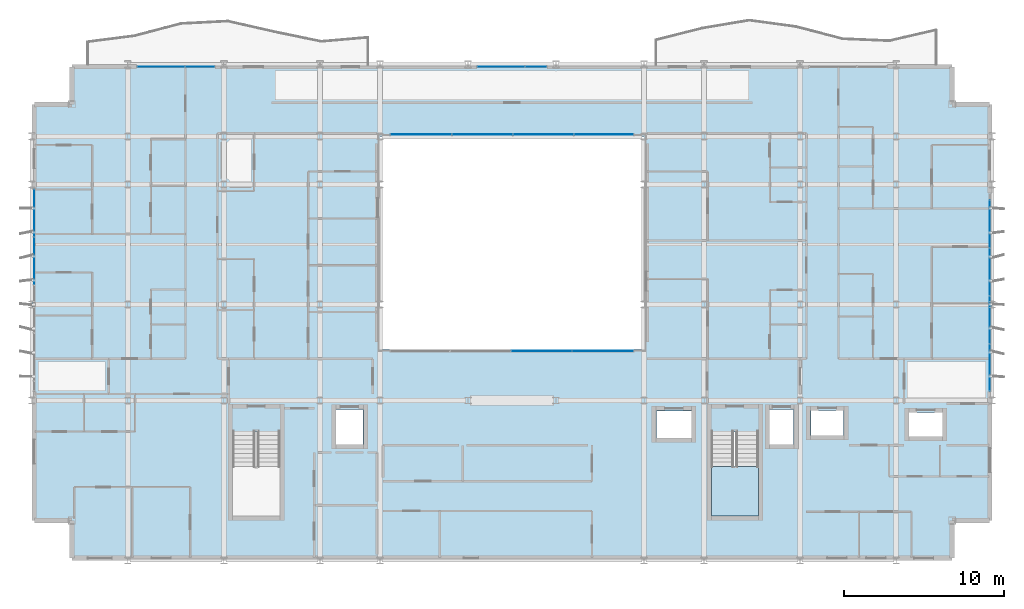
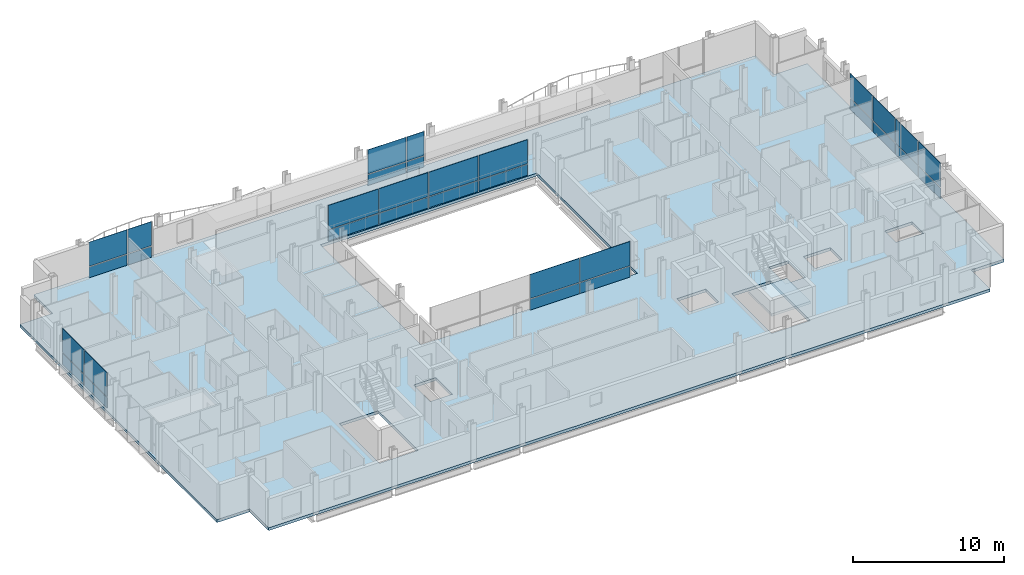
# One storey, part 23 of 38: 32 plates, 2 slabs, 7 elements without a shape of their own.
"""IFC4 building model written with IfcOpenShell, lengths in metres."""

from ifc_helpers import new_model, si_unit, direction, frame, origin, origin_2d, place, context, subcontext, project, spatial, polyline, rectangle, outline, extrude, material, layer, layer_set, type_object, element, aggregate, save


model = new_model("IFC4")

# Units and contexts
model_context = context("Model", 3, precision=1e-05, world=origin(), true_north=direction((0.0, 1.0)))
body_context = subcontext(model_context, "Body", "Model", "MODEL_VIEW")
ifc_project = project(units=[si_unit("LENGTHUNIT", "METRE"), si_unit("AREAUNIT", "SQUARE_METRE"), si_unit("VOLUMEUNIT", "CUBIC_METRE"), si_unit("PLANEANGLEUNIT", "RADIAN"), si_unit("MASSUNIT", "GRAM", prefix="KILO")], contexts=[model_context])

# Site, building, storey
site_placement = place(None, origin())
site = spatial("IfcSite", under=ifc_project, at=site_placement, CompositionType="ELEMENT")
building_placement = place(site_placement, origin())
building = spatial("IfcBuilding", under=site, at=building_placement, Name="Brevholm Reach", CompositionType="ELEMENT")
storey_placement = place(building_placement, frame((0.0, 0.0, 65.199951171875)))
storey = spatial("IfcBuildingStorey", under=building, at=storey_placement, Name="L18", CompositionType="ELEMENT", Elevation=65.199951171875)

# Curtain wall, plates
ifc_material_1 = material(Name="Dark Anodised Aluminium 6063-T6 and Solar-Control Glass", Category="aluminium")
ifc_layer_1 = layer(ifc_material_1, 0.14990234375)
ifc_layer_set_1 = layer_set([ifc_layer_1], Name="Dark Anodised Aluminium 6063-T6 and Solar-Control Glass")
curtain_wall_type_1 = type_object("IfcCurtainWallType", Name="CW-01", PredefinedType="NOTDEFINED", material=ifc_layer_set_1)
curtain_wall_1_placement = place(storey_placement, origin())
curtain_wall_1 = element("IfcCurtainWall", 1, at=curtain_wall_1_placement, inside=storey, type_object=curtain_wall_type_1, Name="L18 Curtain Wall CW-01", PredefinedType="NOTDEFINED")
ifc_material_2 = material(Name="Dark Solar-Control Double-Glazed IGU Glass", Category="glass")
ifc_layer_2 = layer(ifc_material_2, 0.028076171875)
ifc_layer_set_2 = layer_set([ifc_layer_2], Name="Dark Solar-Control Double-Glazed IGU Glass")
plate_type_1 = type_object("IfcPlateType", Name="CWP-GLZ-28", PredefinedType="CURTAIN_PANEL", material=ifc_layer_set_2)
plate_1_placement = place(storey_placement, frame((0.14990234375, 21.703857421875, 0.0), z_axis=(0.0, 0.0, 1.0), x_axis=(0.0, -1.0, 0.0)))
plate_1 = element("IfcPlate", 2, at=plate_1_placement, type_object=plate_type_1, Name="CP-01 Glazing Panel 1.1", PredefinedType="CURTAIN_PANEL", context=body_context, shape_type="SweptSolid", body=[
    extrude(rectangle(XDim=2.902587890625, YDim=0.028076171875, at=origin_2d()), origin(), (0.0, 0.0, 1.0), 0.867431640625),
])
plate_2_placement = place(storey_placement, frame((0.14990234375, 21.703857421875, 0.9326171875), z_axis=(0.0, 0.0, 1.0), x_axis=(0.0, -1.0, 0.0)))
plate_2 = element("IfcPlate", 3, at=plate_2_placement, type_object=plate_type_1, Name="CP-01 Glazing Panel 1.2", PredefinedType="CURTAIN_PANEL", context=body_context, shape_type="SweptSolid", body=[
    extrude(rectangle(XDim=2.902587890625, YDim=0.028076171875, at=origin_2d()), origin(), (0.0, 0.0, 1.0), 1.9375),
])
plate_3_placement = place(storey_placement, frame((0.14990234375, 18.719970703125, 0.0), z_axis=(0.0, 0.0, 1.0), x_axis=(0.0, -1.0, 0.0)))
plate_3 = element("IfcPlate", 4, at=plate_3_placement, type_object=plate_type_1, Name="CP-01 Glazing Panel 2.1", PredefinedType="CURTAIN_PANEL", context=body_context, shape_type="SweptSolid", body=[
    extrude(rectangle(XDim=2.93505859375, YDim=0.028076171875, at=origin_2d()), origin(), (0.0, 0.0, 1.0), 0.867431640625),
])
plate_4_placement = place(storey_placement, frame((0.14990234375, 18.719970703125, 0.9326171875), z_axis=(0.0, 0.0, 1.0), x_axis=(0.0, -1.0, 0.0)))
plate_4 = element("IfcPlate", 5, at=plate_4_placement, type_object=plate_type_1, Name="CP-01 Glazing Panel 2.2", PredefinedType="CURTAIN_PANEL", context=body_context, shape_type="SweptSolid", body=[
    extrude(rectangle(XDim=2.93505859375, YDim=0.028076171875, at=origin_2d()), origin(), (0.0, 0.0, 1.0), 1.9375),
])
aggregate(curtain_wall_1, [plate_1, plate_2, plate_3, plate_4])

curtain_wall_2_placement = place(storey_placement, origin())
curtain_wall_2 = element("IfcCurtainWall", 6, at=curtain_wall_2_placement, inside=storey, type_object=curtain_wall_type_1, Name="L18 Curtain Wall CW-01", PredefinedType="NOTDEFINED")
plate_5_placement = place(storey_placement, frame((59.85009765625, 12.066162109375, 0.0), z_axis=(0.0, 0.0, 1.0), x_axis=(0.0, 1.0, 0.0)))
plate_5 = element("IfcPlate", 7, at=plate_5_placement, type_object=plate_type_1, Name="CP-01 Glazing Panel 1.1", PredefinedType="CURTAIN_PANEL", context=body_context, shape_type="SweptSolid", body=[
    extrude(rectangle(XDim=2.902587890625, YDim=0.028076171875, at=origin_2d()), origin(), (0.0, 0.0, 1.0), 0.867431640625),
])
plate_6_placement = place(storey_placement, frame((59.85009765625, 12.066162109375, 0.9326171875), z_axis=(0.0, 0.0, 1.0), x_axis=(0.0, 1.0, 0.0)))
plate_6 = element("IfcPlate", 8, at=plate_6_placement, type_object=plate_type_1, Name="CP-01 Glazing Panel 1.2", PredefinedType="CURTAIN_PANEL", context=body_context, shape_type="SweptSolid", body=[
    extrude(rectangle(XDim=2.902587890625, YDim=0.028076171875, at=origin_2d()), origin(), (0.0, 0.0, 1.0), 1.9375),
])
plate_7_placement = place(storey_placement, frame((59.85009765625, 15.050048828125, 0.0), z_axis=(0.0, 0.0, 1.0), x_axis=(0.0, 1.0, 0.0)))
plate_7 = element("IfcPlate", 9, at=plate_7_placement, type_object=plate_type_1, Name="CP-01 Glazing Panel 2.1", PredefinedType="CURTAIN_PANEL", context=body_context, shape_type="SweptSolid", body=[
    extrude(rectangle(XDim=2.93505859375, YDim=0.028076171875, at=origin_2d()), origin(), (0.0, 0.0, 1.0), 0.867431640625),
])
plate_8_placement = place(storey_placement, frame((59.85009765625, 15.050048828125, 0.9326171875), z_axis=(0.0, 0.0, 1.0), x_axis=(0.0, 1.0, 0.0)))
plate_8 = element("IfcPlate", 10, at=plate_8_placement, type_object=plate_type_1, Name="CP-01 Glazing Panel 2.2", PredefinedType="CURTAIN_PANEL", context=body_context, shape_type="SweptSolid", body=[
    extrude(rectangle(XDim=2.93505859375, YDim=0.028076171875, at=origin_2d()), origin(), (0.0, 0.0, 1.0), 1.9375),
])
plate_9_placement = place(storey_placement, frame((59.85009765625, 18.050048828125, 0.0), z_axis=(0.0, 0.0, 1.0), x_axis=(0.0, 1.0, 0.0)))
plate_9 = element("IfcPlate", 11, at=plate_9_placement, type_object=plate_type_1, Name="CP-01 Glazing Panel 3.1", PredefinedType="CURTAIN_PANEL", context=body_context, shape_type="SweptSolid", body=[
    extrude(rectangle(XDim=2.93505859375, YDim=0.028076171875, at=origin_2d()), origin(), (0.0, 0.0, 1.0), 0.867431640625),
])
plate_10_placement = place(storey_placement, frame((59.85009765625, 18.050048828125, 0.9326171875), z_axis=(0.0, 0.0, 1.0), x_axis=(0.0, 1.0, 0.0)))
plate_10 = element("IfcPlate", 12, at=plate_10_placement, type_object=plate_type_1, Name="CP-01 Glazing Panel 3.2", PredefinedType="CURTAIN_PANEL", context=body_context, shape_type="SweptSolid", body=[
    extrude(rectangle(XDim=2.93505859375, YDim=0.028076171875, at=origin_2d()), origin(), (0.0, 0.0, 1.0), 1.9375),
])
plate_11_placement = place(storey_placement, frame((59.85009765625, 21.050048828125, 0.0), z_axis=(0.0, 0.0, 1.0), x_axis=(0.0, 1.0, 0.0)))
plate_11 = element("IfcPlate", 13, at=plate_11_placement, type_object=plate_type_1, Name="CP-01 Glazing Panel 4.1", PredefinedType="CURTAIN_PANEL", context=body_context, shape_type="SweptSolid", body=[
    extrude(rectangle(XDim=2.93505859375, YDim=0.028076171875, at=origin_2d()), origin(), (0.0, 0.0, 1.0), 0.867431640625),
])
plate_12_placement = place(storey_placement, frame((59.85009765625, 21.050048828125, 0.9326171875), z_axis=(0.0, 0.0, 1.0), x_axis=(0.0, 1.0, 0.0)))
plate_12 = element("IfcPlate", 14, at=plate_12_placement, type_object=plate_type_1, Name="CP-01 Glazing Panel 4.2", PredefinedType="CURTAIN_PANEL", context=body_context, shape_type="SweptSolid", body=[
    extrude(rectangle(XDim=2.93505859375, YDim=0.028076171875, at=origin_2d()), origin(), (0.0, 0.0, 1.0), 1.9375),
])
aggregate(curtain_wall_2, [plate_5, plate_6, plate_7, plate_8, plate_9, plate_10, plate_11, plate_12])

curtain_wall_3_placement = place(storey_placement, origin())
curtain_wall_3 = element("IfcCurtainWall", 15, at=curtain_wall_3_placement, inside=storey, type_object=curtain_wall_type_1, Name="L18 Curtain Wall CW-01", PredefinedType="NOTDEFINED")
plate_13_placement = place(storey_placement, frame((8.066162109375, 30.85009765625, 0.0), z_axis=(0.0, 0.0, 1.0), x_axis=(1.0, 0.0, 0.0)))
plate_13 = element("IfcPlate", 16, at=plate_13_placement, type_object=plate_type_1, Name="CP-01 Glazing Panel 1.1", PredefinedType="CURTAIN_PANEL", context=body_context, shape_type="SweptSolid", body=[
    extrude(rectangle(XDim=2.902587890625, YDim=0.028076171875, at=origin_2d()), origin(), (0.0, 0.0, 1.0), 0.867431640625),
])
plate_14_placement = place(storey_placement, frame((8.066162109375, 30.85009765625, 0.9326171875), z_axis=(0.0, 0.0, 1.0), x_axis=(1.0, 0.0, 0.0)))
plate_14 = element("IfcPlate", 17, at=plate_14_placement, type_object=plate_type_1, Name="CP-01 Glazing Panel 1.2", PredefinedType="CURTAIN_PANEL", context=body_context, shape_type="SweptSolid", body=[
    extrude(rectangle(XDim=2.902587890625, YDim=0.028076171875, at=origin_2d()), origin(), (0.0, 0.0, 1.0), 1.9375),
])
plate_15_placement = place(storey_placement, frame((10.483642578125, 30.85009765625, 0.0), z_axis=(0.0, 0.0, 1.0), x_axis=(1.0, 0.0, 0.0)))
plate_15 = element("IfcPlate", 18, at=plate_15_placement, type_object=plate_type_1, Name="CP-01 Glazing Panel 2.1", PredefinedType="CURTAIN_PANEL", context=body_context, shape_type="SweptSolid", body=[
    extrude(rectangle(XDim=1.802490234375, YDim=0.028076171875, at=origin_2d()), origin(), (0.0, 0.0, 1.0), 0.867431640625),
])
plate_16_placement = place(storey_placement, frame((10.483642578125, 30.85009765625, 0.9326171875), z_axis=(0.0, 0.0, 1.0), x_axis=(1.0, 0.0, 0.0)))
plate_16 = element("IfcPlate", 19, at=plate_16_placement, type_object=plate_type_1, Name="CP-01 Glazing Panel 2.2", PredefinedType="CURTAIN_PANEL", context=body_context, shape_type="SweptSolid", body=[
    extrude(rectangle(XDim=1.802490234375, YDim=0.028076171875, at=origin_2d()), origin(), (0.0, 0.0, 1.0), 1.9375),
])
aggregate(curtain_wall_3, [plate_13, plate_14, plate_15, plate_16])

curtain_wall_4_placement = place(storey_placement, origin())
curtain_wall_4 = element("IfcCurtainWall", 20, at=curtain_wall_4_placement, inside=storey, type_object=curtain_wall_type_1, Name="L18 Curtain Wall CW-01", PredefinedType="NOTDEFINED")
plate_17_placement = place(storey_placement, frame((29.316162109375, 30.85009765625, 0.0), z_axis=(0.0, 0.0, 1.0), x_axis=(1.0, 0.0, 0.0)))
plate_17 = element("IfcPlate", 21, at=plate_17_placement, type_object=plate_type_1, Name="CP-01 Glazing Panel 1.1", PredefinedType="CURTAIN_PANEL", context=body_context, shape_type="SweptSolid", body=[
    extrude(rectangle(XDim=2.902587890625, YDim=0.028076171875, at=origin_2d()), origin(), (0.0, 0.0, 1.0), 0.867431640625),
])
plate_18_placement = place(storey_placement, frame((29.316162109375, 30.85009765625, 0.9326171875), z_axis=(0.0, 0.0, 1.0), x_axis=(1.0, 0.0, 0.0)))
plate_18 = element("IfcPlate", 22, at=plate_18_placement, type_object=plate_type_1, Name="CP-01 Glazing Panel 1.2", PredefinedType="CURTAIN_PANEL", context=body_context, shape_type="SweptSolid", body=[
    extrude(rectangle(XDim=2.902587890625, YDim=0.028076171875, at=origin_2d()), origin(), (0.0, 0.0, 1.0), 1.9375),
])
plate_19_placement = place(storey_placement, frame((31.483642578125, 30.85009765625, 0.0), z_axis=(0.0, 0.0, 1.0), x_axis=(1.0, 0.0, 0.0)))
plate_19 = element("IfcPlate", 23, at=plate_19_placement, type_object=plate_type_1, Name="CP-01 Glazing Panel 2.1", PredefinedType="CURTAIN_PANEL", context=body_context, shape_type="SweptSolid", body=[
    extrude(rectangle(XDim=1.302490234375, YDim=0.028076171875, at=origin_2d()), origin(), (0.0, 0.0, 1.0), 0.867431640625),
])
plate_20_placement = place(storey_placement, frame((31.483642578125, 30.85009765625, 0.9326171875), z_axis=(0.0, 0.0, 1.0), x_axis=(1.0, 0.0, 0.0)))
plate_20 = element("IfcPlate", 24, at=plate_20_placement, type_object=plate_type_1, Name="CP-01 Glazing Panel 2.2", PredefinedType="CURTAIN_PANEL", context=body_context, shape_type="SweptSolid", body=[
    extrude(rectangle(XDim=1.302490234375, YDim=0.028076171875, at=origin_2d()), origin(), (0.0, 0.0, 1.0), 1.9375),
])
aggregate(curtain_wall_4, [plate_17, plate_18, plate_19, plate_20])

ifc_material_3 = material(Name="Dark Anodised Aluminium 6063-T6 and Solar-Control Glass", Category="aluminium")
ifc_layer_3 = layer(ifc_material_3, 0.139892578125)
ifc_layer_set_3 = layer_set([ifc_layer_3], Name="Dark Anodised Aluminium 6063-T6 and Solar-Control Glass")
curtain_wall_type_2 = type_object("IfcCurtainWallType", Name="CW-02", PredefinedType="NOTDEFINED", material=ifc_layer_set_3)
curtain_wall_5_placement = place(storey_placement, origin())
curtain_wall_5 = element("IfcCurtainWall", 25, at=curtain_wall_5_placement, inside=storey, type_object=curtain_wall_type_2, Name="L18 Curtain Wall CW-02", PredefinedType="NOTDEFINED")
ifc_material_4 = material(Name="Low-Iron Laminated Acoustic Glass", Category="glass")
ifc_layer_4 = layer(ifc_material_4, 0.035888671875)
ifc_layer_set_4 = layer_set([ifc_layer_4], Name="Low-Iron Laminated Acoustic Glass")
plate_type_2 = type_object("IfcPlateType", Name="CWP-GLZ-36", PredefinedType="CURTAIN_PANEL", material=ifc_layer_set_4)
plate_21_placement = place(storey_placement, frame((31.85009765625, 13.080078125, 0.0), z_axis=(0.0, 0.0, 1.0), x_axis=(1.0, 0.0, 0.0)))
plate_21 = element("IfcPlate", 26, at=plate_21_placement, type_object=plate_type_2, Name="CP-02 Glazing Panel 3.1", PredefinedType="CURTAIN_PANEL", context=body_context, shape_type="SweptSolid", body=[
    extrude(rectangle(XDim=3.739990234375, YDim=0.035888671875, at=origin_2d()), origin(), (0.0, 0.0, 1.0), 0.8701171875),
])
plate_22_placement = place(storey_placement, frame((31.85009765625, 13.080078125, 0.93017578125), z_axis=(0.0, 0.0, 1.0), x_axis=(1.0, 0.0, 0.0)))
plate_22 = element("IfcPlate", 27, at=plate_22_placement, type_object=plate_type_2, Name="CP-02 Glazing Panel 3.2", PredefinedType="CURTAIN_PANEL", context=body_context, shape_type="SweptSolid", body=[
    extrude(rectangle(XDim=3.739990234375, YDim=0.035888671875, at=origin_2d()), origin(), (0.0, 0.0, 1.0), 1.93994140625),
])
plate_23_placement = place(storey_placement, frame((35.68505859375, 13.080078125, 0.0), z_axis=(0.0, 0.0, 1.0), x_axis=(1.0, 0.0, 0.0)))
plate_23 = element("IfcPlate", 28, at=plate_23_placement, type_object=plate_type_2, Name="CP-02 Glazing Panel 4.1", PredefinedType="CURTAIN_PANEL", context=body_context, shape_type="SweptSolid", body=[
    extrude(rectangle(XDim=3.81005859375, YDim=0.035888671875, at=origin_2d()), origin(), (0.0, 0.0, 1.0), 0.8701171875),
])
plate_24_placement = place(storey_placement, frame((35.68505859375, 13.080078125, 0.93017578125), z_axis=(0.0, 0.0, 1.0), x_axis=(1.0, 0.0, 0.0)))
plate_24 = element("IfcPlate", 29, at=plate_24_placement, type_object=plate_type_2, Name="CP-02 Glazing Panel 4.2", PredefinedType="CURTAIN_PANEL", context=body_context, shape_type="SweptSolid", body=[
    extrude(rectangle(XDim=3.81005859375, YDim=0.035888671875, at=origin_2d()), origin(), (0.0, 0.0, 1.0), 1.93994140625),
])
aggregate(curtain_wall_5, [plate_21, plate_22, plate_23, plate_24])

curtain_wall_6_placement = place(storey_placement, origin())
curtain_wall_6 = element("IfcCurtainWall", 30, at=curtain_wall_6_placement, inside=storey, type_object=curtain_wall_type_2, Name="L18 Curtain Wall CW-02", PredefinedType="NOTDEFINED")
plate_25_placement = place(storey_placement, frame((35.735107421875, 26.6201171875, 0.0), z_axis=(0.0, 0.0, 1.0), x_axis=(-1.0, 0.0, 0.0)))
plate_25 = element("IfcPlate", 31, at=plate_25_placement, type_object=plate_type_2, Name="CP-02 Glazing Panel 1.1", PredefinedType="CURTAIN_PANEL", context=body_context, shape_type="SweptSolid", body=[
    extrude(rectangle(XDim=3.7099609375, YDim=0.035888671875, at=origin_2d()), origin(), (0.0, 0.0, 1.0), 0.8701171875),
])
plate_26_placement = place(storey_placement, frame((35.735107421875, 26.6201171875, 0.93017578125), z_axis=(0.0, 0.0, 1.0), x_axis=(-1.0, 0.0, 0.0)))
plate_26 = element("IfcPlate", 32, at=plate_26_placement, type_object=plate_type_2, Name="CP-02 Glazing Panel 1.2", PredefinedType="CURTAIN_PANEL", context=body_context, shape_type="SweptSolid", body=[
    extrude(rectangle(XDim=3.7099609375, YDim=0.035888671875, at=origin_2d()), origin(), (0.0, 0.0, 1.0), 1.93994140625),
])
plate_27_placement = place(storey_placement, frame((31.949951171875, 26.6201171875, 0.0), z_axis=(0.0, 0.0, 1.0), x_axis=(-1.0, 0.0, 0.0)))
plate_27 = element("IfcPlate", 33, at=plate_27_placement, type_object=plate_type_2, Name="CP-02 Glazing Panel 2.1", PredefinedType="CURTAIN_PANEL", context=body_context, shape_type="SweptSolid", body=[
    extrude(rectangle(XDim=3.739990234375, YDim=0.035888671875, at=origin_2d()), origin(), (0.0, 0.0, 1.0), 0.8701171875),
])
plate_28_placement = place(storey_placement, frame((31.949951171875, 26.6201171875, 0.93017578125), z_axis=(0.0, 0.0, 1.0), x_axis=(-1.0, 0.0, 0.0)))
plate_28 = element("IfcPlate", 34, at=plate_28_placement, type_object=plate_type_2, Name="CP-02 Glazing Panel 2.2", PredefinedType="CURTAIN_PANEL", context=body_context, shape_type="SweptSolid", body=[
    extrude(rectangle(XDim=3.739990234375, YDim=0.035888671875, at=origin_2d()), origin(), (0.0, 0.0, 1.0), 1.93994140625),
])
plate_29_placement = place(storey_placement, frame((28.14990234375, 26.6201171875, 0.0), z_axis=(0.0, 0.0, 1.0), x_axis=(-1.0, 0.0, 0.0)))
plate_29 = element("IfcPlate", 35, at=plate_29_placement, type_object=plate_type_2, Name="CP-02 Glazing Panel 3.1", PredefinedType="CURTAIN_PANEL", context=body_context, shape_type="SweptSolid", body=[
    extrude(rectangle(XDim=3.739990234375, YDim=0.035888671875, at=origin_2d()), origin(), (0.0, 0.0, 1.0), 0.8701171875),
])
plate_30_placement = place(storey_placement, frame((28.14990234375, 26.6201171875, 0.93017578125), z_axis=(0.0, 0.0, 1.0), x_axis=(-1.0, 0.0, 0.0)))
plate_30 = element("IfcPlate", 36, at=plate_30_placement, type_object=plate_type_2, Name="CP-02 Glazing Panel 3.2", PredefinedType="CURTAIN_PANEL", context=body_context, shape_type="SweptSolid", body=[
    extrude(rectangle(XDim=3.739990234375, YDim=0.035888671875, at=origin_2d()), origin(), (0.0, 0.0, 1.0), 1.93994140625),
])
plate_31_placement = place(storey_placement, frame((24.31494140625, 26.6201171875, 0.0), z_axis=(0.0, 0.0, 1.0), x_axis=(-1.0, 0.0, 0.0)))
plate_31 = element("IfcPlate", 37, at=plate_31_placement, type_object=plate_type_2, Name="CP-02 Glazing Panel 4.1", PredefinedType="CURTAIN_PANEL", context=body_context, shape_type="SweptSolid", body=[
    extrude(rectangle(XDim=3.81005859375, YDim=0.035888671875, at=origin_2d()), origin(), (0.0, 0.0, 1.0), 0.8701171875),
])
plate_32_placement = place(storey_placement, frame((24.31494140625, 26.6201171875, 0.93017578125), z_axis=(0.0, 0.0, 1.0), x_axis=(-1.0, 0.0, 0.0)))
plate_32 = element("IfcPlate", 38, at=plate_32_placement, type_object=plate_type_2, Name="CP-02 Glazing Panel 4.2", PredefinedType="CURTAIN_PANEL", context=body_context, shape_type="SweptSolid", body=[
    extrude(rectangle(XDim=3.81005859375, YDim=0.035888671875, at=origin_2d()), origin(), (0.0, 0.0, 1.0), 1.93994140625),
])
aggregate(curtain_wall_6, [plate_25, plate_26, plate_27, plate_28, plate_29, plate_30, plate_31, plate_32])

# Slab
ifc_material_5 = material(Name="Concrete C40/50", Category="concrete")
ifc_layer_5 = layer(ifc_material_5, 0.22998046875)
ifc_layer_set_5 = layer_set([ifc_layer_5], Name="Concrete C40/50")
slab_type_1 = type_object("IfcSlabType", Name="SLB-FL-230", PredefinedType="FLOOR", material=ifc_layer_set_5)
slab_1_placement = place(storey_placement, frame((0.0, 0.0, -0.22998046875)))
element("IfcSlab", 39, at=slab_1_placement, inside=storey, type_object=slab_type_1, Name="L18 Suspended Floor Slab (main)", PredefinedType="FLOOR", context=body_context, shape_type="SweptSolid", body=[
    extrude(outline(polyline([(2.5, 0.0), (57.5, 0.0), (57.5, 2.5), (60.0, 2.5), (60.0, 28.5), (57.5, 28.5), (57.5, 31.0), (2.5, 31.0), (2.5, 28.5), (0.0, 28.5), (0.0, 2.5), (2.5, 2.5), (2.5, 0.0)]), holes=[polyline([(21.75, 13.199951171875), (38.25, 13.199951171875), (38.25, 26.5), (21.75, 26.5), (21.75, 13.199951171875)]), polyline([(12.550048828125, 2.780029296875), (15.5, 2.780029296875), (15.5, 8.044921875), (12.550048828125, 8.044921875), (12.550048828125, 2.780029296875)]), polyline([(42.449951171875, 2.780029296875), (45.39990234375, 2.780029296875), (45.39990234375, 8.044921875), (42.449951171875, 8.044921875), (42.449951171875, 2.780029296875)]), polyline([(19.0, 7.25), (20.699951171875, 7.25), (20.699951171875, 9.449951171875), (19.0, 9.449951171875), (19.0, 7.25)]), polyline([(46.10009765625, 7.25), (47.60009765625, 7.25), (47.60009765625, 9.449951171875), (46.10009765625, 9.449951171875), (46.10009765625, 7.25)]), polyline([(48.675048828125, 7.824951171875), (50.72509765625, 7.824951171875), (50.72509765625, 9.375), (48.675048828125, 9.375), (48.675048828125, 7.824951171875)]), polyline([(54.800048828125, 7.75), (56.89990234375, 7.75), (56.89990234375, 9.25), (54.800048828125, 9.25), (54.800048828125, 7.75)]), polyline([(39.02001953125, 7.64990234375), (41.219970703125, 7.64990234375), (41.219970703125, 9.35009765625), (39.02001953125, 9.35009765625), (39.02001953125, 7.64990234375)])]), origin(), (0.0, 0.0, 1.0), 0.22998046875),
])

# Stair, slab
ifc_material_6 = material(Name="Precast Concrete C40/50", Category="concrete")
stair_type = type_object("IfcStairType", Name="STR-ESC-1400", PredefinedType="DOUBLE_RETURN_STAIR", material=ifc_material_6)
stair_placement = place(storey_placement, origin())
stair = element("IfcStair", 40, at=stair_placement, inside=storey, type_object=stair_type, Name="L18 ST-2", PredefinedType="DOUBLE_RETURN_STAIR")
ifc_material_7 = material(Name="Concrete C40/50", Category="concrete")
ifc_layer_6 = layer(ifc_material_7, 0.199951171875)
ifc_layer_set_6 = layer_set([ifc_layer_6], Name="Concrete C40/50")
slab_type_2 = type_object("IfcSlabType", Name="SLB-LND-200", PredefinedType="LANDING", material=ifc_layer_set_6)
slab_2_placement = place(storey_placement, frame((0.0, 0.0, 1.35009765625)))
slab_2 = element("IfcSlab", 41, at=slab_2_placement, type_object=slab_type_2, Name="ST-2 landing 1", PredefinedType="LANDING", context=body_context, shape_type="SweptSolid", body=[
    extrude(outline(polyline([(42.449951171875, 5.860107421875), (42.449951171875, 2.780029296875), (45.39990234375, 2.780029296875), (45.39990234375, 5.860107421875), (42.449951171875, 5.860107421875)])), origin(), (0.0, 0.0, 1.0), 0.199951171875),
])
aggregate(stair, [slab_2])

save(model, "model.ifc")
